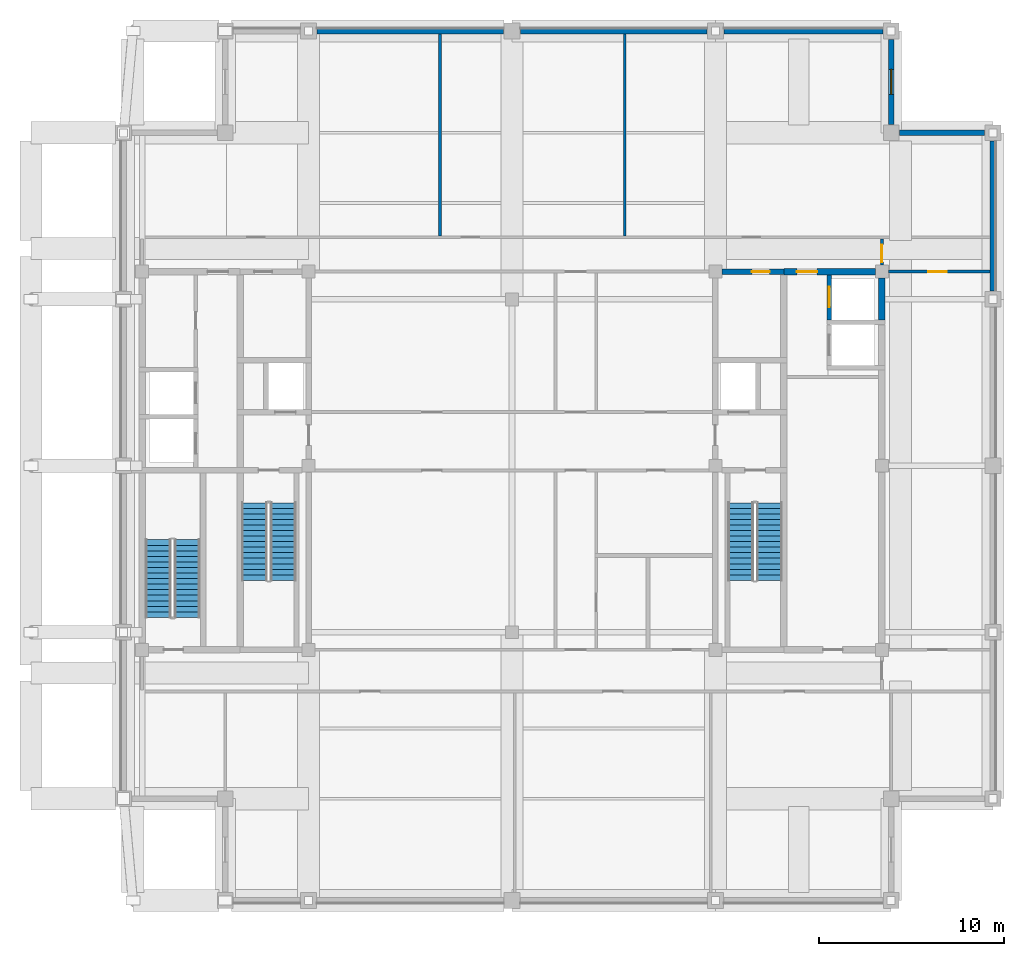
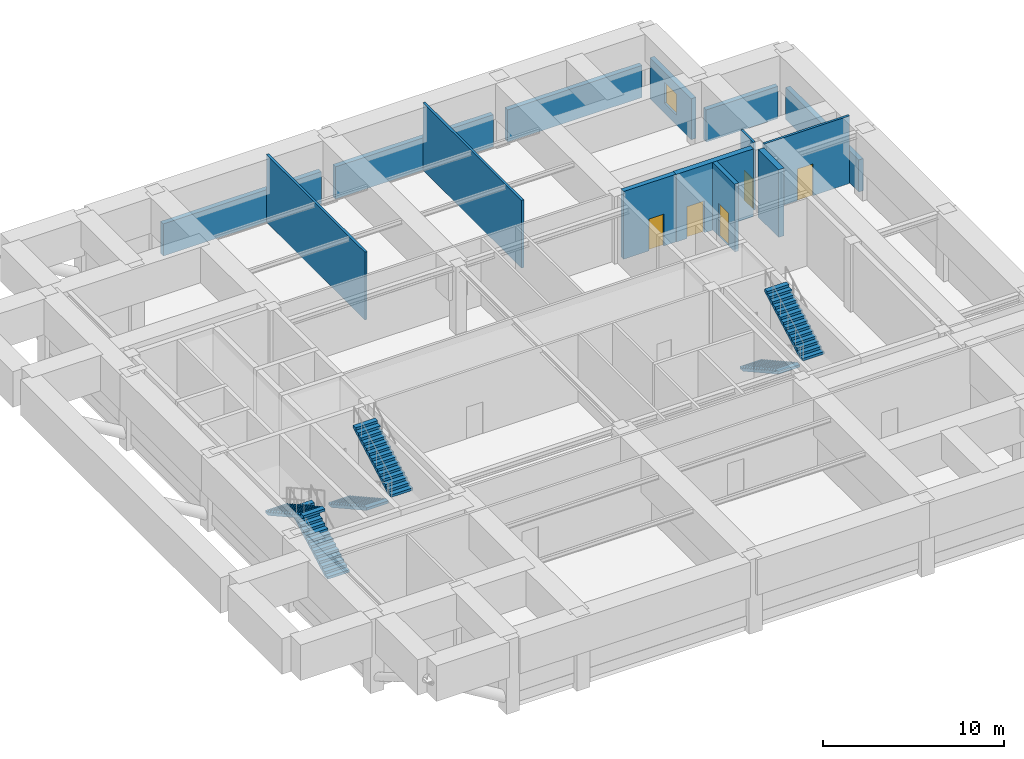
# One storey, part 5 of 11: 14 walls, 6 stair flights, 5 doors, 1 window, 6 openings, 3 elements without a shape of their own.
"""IFC4 building model written with IfcOpenShell, lengths in metres."""

from ifc_helpers import new_model, si_unit, direction, frame, frame_2d, origin, place, context, subcontext, project, spatial, polyline, rectangle, outline, extrude, material, layer, layer_set, type_object, element, fill, aggregate, save


model = new_model("IFC4")

# Units and contexts
model_context = context("Model", 3, precision=1e-05, world=origin(), true_north=direction((0.0, 1.0)))
body_context = subcontext(model_context, "Body", "Model", "MODEL_VIEW")
ifc_project = project(units=[si_unit("LENGTHUNIT", "METRE"), si_unit("AREAUNIT", "SQUARE_METRE"), si_unit("VOLUMEUNIT", "CUBIC_METRE"), si_unit("PLANEANGLEUNIT", "RADIAN"), si_unit("MASSUNIT", "GRAM", prefix="KILO")], contexts=[model_context])

# Site, building, storey
site_placement = place(None, origin())
site = spatial("IfcSite", under=ifc_project, at=site_placement, CompositionType="ELEMENT")
building_placement = place(site_placement, origin())
building = spatial("IfcBuilding", under=site, at=building_placement, Name="Zulmaris Gate Convention Tower", CompositionType="ELEMENT")
storey_placement = place(building_placement, frame((0.0, 0.0, 249.429931640625)))
storey = spatial("IfcBuildingStorey", under=building, at=storey_placement, Name="L66", CompositionType="ELEMENT", Elevation=249.429931640625)

# Wall, opening, door
ifc_material_1 = material(Name="Concrete C50/60", Category="concrete")
ifc_layer_1 = layer(ifc_material_1, 0.25, Name="Concrete C50/60")
ifc_layer_set_1 = layer_set([ifc_layer_1], Name="Concrete C50/60")
wall_type_1 = type_object("IfcWallType", Name="CORE-250", PredefinedType="SOLIDWALL", material=ifc_layer_set_1)
wall_1_placement = place(storey_placement, frame((17.14990234375, 7.876953125, 0.0), z_axis=(0.0, 0.0, 1.0), x_axis=(0.0, 1.0, 0.0)))
wall_1 = element("IfcWall", 1, at=wall_1_placement, inside=storey, type_object=wall_type_1, Name="WL-L66-057", PredefinedType="SOLIDWALL", context=body_context, shape_type="SweptSolid", body=[
    extrude(rectangle(XDim=2.446044921875, YDim=0.25, at=frame_2d((1.22314453125, 0.0))), origin(), (0.0, 0.0, 1.0), 4.574951171875),
])
opening_1_placement = place(wall_1_placement, frame((0.697998046875, 0.0, 0.0)))
opening_1 = element("IfcOpeningElement", 2, at=opening_1_placement, cuts=wall_1, Name="Opening D-06", PredefinedType="OPENING", context=body_context, shape_type="SweptSolid", body=[
    extrude(rectangle(XDim=1.10009765625, YDim=2.199951171875, at=frame_2d((0.550048828125, 1.10009765625))), frame((0.0, 0.135009765625, 0.0), z_axis=(0.0, -1.0, 0.0), x_axis=(1.0, 0.0, 0.0)), (0.0, 0.0, 1.0), 0.27001953125),
])
ifc_material_2 = material(Name="Brushed Stainless Steel", Category="steel")
door_type_1 = type_object("IfcDoorType", Name="LD-1100", OperationType="NOTDEFINED", PredefinedType="DOOR", material=ifc_material_2)
door_1_placement = place(opening_1_placement, origin())
door_1 = element("IfcDoor", 3, at=door_1_placement, inside=storey, type_object=door_type_1, Name="L66 Lift Landing Door HP-02 15", OperationType="SLIDING_TO_RIGHT", OverallHeight=2.199951171875, OverallWidth=1.10009765625, PredefinedType="DOOR", context=body_context, shape_type="SweptSolid", body=[
    extrude(rectangle(XDim=1.10009765625, YDim=2.199951171875, at=frame_2d((0.550048828125, 1.10009765625))), frame((0.0, 0.02490234375, 0.0), z_axis=(0.0, -1.0, 0.0), x_axis=(1.0, 0.0, 0.0)), (0.0, 0.0, 1.0), 0.050048828125),
])
fill(opening_1, door_1)

ifc_layer_2 = layer(ifc_material_1, 0.300048828125, Name="Concrete C50/60")
ifc_layer_set_2 = layer_set([ifc_layer_2], Name="Concrete C50/60")
wall_type_2 = type_object("IfcWallType", Name="CORE-300", PredefinedType="SHEAR", material=ifc_layer_set_2)
wall_2_placement = place(storey_placement, frame((11.35400390625, 10.5, 0.0), z_axis=(0.0, 0.0, 1.0), x_axis=(1.0, 0.0, 0.0)))
wall_2 = element("IfcWall", 4, at=wall_2_placement, inside=storey, type_object=wall_type_2, Name="WL-L66-017", PredefinedType="SHEAR", context=body_context, shape_type="SweptSolid", body=[
    extrude(rectangle(XDim=3.345947265625, YDim=0.300048828125, at=frame_2d((1.6728515625, 0.0))), origin(), (0.0, 0.0, 1.0), 4.574951171875),
])
opening_2_placement = place(wall_2_placement, frame((1.62109375, 0.0, 0.0)))
opening_2 = element("IfcOpeningElement", 5, at=opening_2_placement, cuts=wall_2, Name="Opening D-11", PredefinedType="OPENING", context=body_context, shape_type="SweptSolid", body=[
    extrude(rectangle(XDim=0.949951171875, YDim=2.14990234375, at=frame_2d((0.47509765625, 1.074951171875))), frame((0.0, 0.16015625, 0.0), z_axis=(0.0, -1.0, 0.0), x_axis=(1.0, 0.0, 0.0)), (0.0, 0.0, 1.0), 0.320068359375),
])
ifc_material_3 = material(Name="Fire-Rated Timber", Category="wood")
door_type_2 = type_object("IfcDoorType", Name="DR-950-FD", OperationType="NOTDEFINED", PredefinedType="DOOR", material=ifc_material_3)
door_2_placement = place(opening_2_placement, origin())
door_2 = element("IfcDoor", 6, at=door_2_placement, inside=storey, type_object=door_type_2, Name="L66 Core Cleaners Store Door 08", OperationType="SINGLE_SWING_RIGHT", OverallHeight=2.14990234375, OverallWidth=0.949951171875, PredefinedType="DOOR", context=body_context, shape_type="SweptSolid", body=[
    extrude(rectangle(XDim=0.949951171875, YDim=2.14990234375, at=frame_2d((0.47509765625, 1.074951171875))), frame((0.0, 0.02490234375, 0.0), z_axis=(0.0, -1.0, 0.0), x_axis=(1.0, 0.0, 0.0)), (0.0, 0.0, 1.0), 0.050048828125),
])
fill(opening_2, door_2)

ifc_material_4 = material(Name="Concrete C55/67", Category="concrete")
ifc_layer_3 = layer(ifc_material_4, 0.35009765625, Name="Concrete C55/67")
ifc_layer_set_3 = layer_set([ifc_layer_3], Name="Concrete C55/67")
wall_type_3 = type_object("IfcWallType", Name="CORE-350", PredefinedType="SHEAR", material=ifc_layer_set_3)
wall_3_placement = place(storey_placement, frame((14.699951171875, 10.5, 0.0), z_axis=(0.0, 0.0, 1.0), x_axis=(1.0, 0.0, 0.0)))
wall_3 = element("IfcWall", 7, at=wall_3_placement, inside=storey, type_object=wall_type_3, Name="WL-L66-018", PredefinedType="SHEAR", context=body_context, shape_type="SweptSolid", body=[
    extrude(rectangle(XDim=4.946044921875, YDim=0.35009765625, at=frame_2d((2.47314453125, 0.0))), origin(), (0.0, 0.0, 1.0), 4.574951171875),
])
opening_3_placement = place(wall_3_placement, frame((0.699951171875, 0.0, 0.0)))
opening_3 = element("IfcOpeningElement", 8, at=opening_3_placement, cuts=wall_3, Name="Opening D-08", PredefinedType="OPENING", context=body_context, shape_type="SweptSolid", body=[
    extrude(rectangle(XDim=1.10009765625, YDim=2.14990234375, at=frame_2d((0.550048828125, 1.074951171875))), frame((0.0, 0.18505859375, 0.0), z_axis=(0.0, -1.0, 0.0), x_axis=(1.0, 0.0, 0.0)), (0.0, 0.0, 1.0), 0.3701171875),
])
ifc_material_5 = material(Name="Fire-Rated Steel", Category="steel")
door_type_3 = type_object("IfcDoorType", Name="DR-1100-FD", OperationType="NOTDEFINED", PredefinedType="DOOR", material=ifc_material_5)
door_3_placement = place(opening_3_placement, origin())
door_3 = element("IfcDoor", 9, at=door_3_placement, inside=storey, type_object=door_type_3, Name="L66 High-Rise East Lift Lobby Door 16", OperationType="SINGLE_SWING_RIGHT", OverallHeight=2.14990234375, OverallWidth=1.10009765625, PredefinedType="DOOR", context=body_context, shape_type="SweptSolid", body=[
    extrude(rectangle(XDim=1.10009765625, YDim=2.14990234375, at=frame_2d((0.550048828125, 1.074951171875))), frame((0.0, 0.02490234375, 0.0), z_axis=(0.0, -1.0, 0.0), x_axis=(1.0, 0.0, 0.0)), (0.0, 0.0, 1.0), 0.050048828125),
])
fill(opening_3, door_3)

# Wall
wall_4_placement = place(storey_placement, frame((20.0, 7.876953125, 0.0), z_axis=(0.0, 0.0, 1.0), x_axis=(0.0, 1.0, 0.0)))
element("IfcWall", 10, at=wall_4_placement, inside=storey, type_object=wall_type_3, Name="WL-L66-060", PredefinedType="SHEAR", context=body_context, shape_type="SweptSolid", body=[
    extrude(rectangle(XDim=2.26904296875, YDim=0.35009765625, at=frame_2d((1.134521484375, 0.0))), origin(), (0.0, 0.0, 1.0), 4.574951171875),
])

# Wall, opening, door
ifc_material_6 = material(Name="Gypsum Metal Stud Partition")
ifc_layer_4 = layer(ifc_material_6, 0.14990234375, Name="Gypsum Metal Stud Partition")
ifc_layer_set_4 = layer_set([ifc_layer_4], Name="Gypsum Metal Stud Partition")
wall_type_4 = type_object("IfcWallType", Name="PART-150", PredefinedType="PARTITIONING", material=ifc_layer_set_4)
wall_5_placement = place(storey_placement, frame((20.35595703125, 10.5, 0.0), z_axis=(0.0, 0.0, 1.0), x_axis=(1.0, 0.0, 0.0)))
wall_5 = element("IfcWall", 11, at=wall_5_placement, inside=storey, type_object=wall_type_4, Name="WL-L66-027", PredefinedType="PARTITIONING", context=body_context, shape_type="SweptSolid", body=[
    extrude(rectangle(XDim=5.47900390625, YDim=0.14990234375, at=frame_2d((2.739501953125, 0.0))), origin(), (0.0, 0.0, 1.0), 4.574951171875),
])
opening_4_placement = place(wall_5_placement, frame((2.14404296875, 0.0, 0.0)))
opening_4 = element("IfcOpeningElement", 12, at=opening_4_placement, cuts=wall_5, Name="Opening D-10", PredefinedType="OPENING", context=body_context, shape_type="SweptSolid", body=[
    extrude(rectangle(XDim=1.0, YDim=2.14990234375, at=frame_2d((0.5, 1.074951171875))), frame((0.0, 0.0849609375, 0.0), z_axis=(0.0, -1.0, 0.0), x_axis=(1.0, 0.0, 0.0)), (0.0, 0.0, 1.0), 0.169921875),
])
door_type_4 = type_object("IfcDoorType", Name="DR-1000-FD", OperationType="NOTDEFINED", PredefinedType="DOOR", material=ifc_material_3)
door_4_placement = place(opening_4_placement, origin())
door_4 = element("IfcDoor", 13, at=door_4_placement, inside=storey, type_object=door_type_4, Name="L66 East Workplace North Door 36", OperationType="SINGLE_SWING_RIGHT", OverallHeight=2.14990234375, OverallWidth=1.0, PredefinedType="DOOR", context=body_context, shape_type="SweptSolid", body=[
    extrude(rectangle(XDim=1.0, YDim=2.14990234375, at=frame_2d((0.5, 1.074951171875))), frame((0.0, 0.02490234375, 0.0), z_axis=(0.0, -1.0, 0.0), x_axis=(1.0, 0.0, 0.0)), (0.0, 0.0, 1.0), 0.050048828125),
])
fill(opening_4, door_4)

# Walls
for number, where, z_axis, x_axis, name in (
    (14, (-3.89990234375, 12.427978515625, 0.0), (0.0, 0.0, 1.0), (0.0, 1.0, 0.0), "WL-L66-065"),
    (15, (6.10009765625, 12.427978515625, 0.0), (0.0, 0.0, 1.0), (0.0, 1.0, 0.0), "WL-L66-072"),
):
    element("IfcWall", number, at=place(storey_placement, frame(where, z_axis=z_axis, x_axis=x_axis)), inside=storey, type_object=wall_type_4, Name=name, PredefinedType="PARTITIONING", context=body_context, shape_type="SweptSolid", body=[
        extrude(rectangle(XDim=10.906982421875, YDim=0.14990234375, at=frame_2d((5.45361328125, 0.0))), origin(), (0.0, 0.0, 1.0), 4.574951171875),
    ])

# Wall, opening, door
wall_6_placement = place(storey_placement, frame((20.0, 10.85595703125, 0.0), z_axis=(0.0, 0.0, 1.0), x_axis=(0.0, 1.0, 0.0)))
wall_6 = element("IfcWall", 16, at=wall_6_placement, inside=storey, type_object=wall_type_4, Name="WL-L66-076", PredefinedType="PARTITIONING", context=body_context, shape_type="SweptSolid", body=[
    extrude(rectangle(XDim=1.416015625, YDim=0.14990234375, at=frame_2d((0.7080078125, 0.0))), origin(), (0.0, 0.0, 1.0), 4.574951171875),
])
opening_5_placement = place(wall_6_placement, frame((0.14990234375, 0.0, 0.0)))
opening_5 = element("IfcOpeningElement", 17, at=opening_5_placement, cuts=wall_6, Name="Opening D-25", PredefinedType="OPENING", context=body_context, shape_type="SweptSolid", body=[
    extrude(rectangle(XDim=0.949951171875, YDim=2.02001953125, at=frame_2d((0.47509765625, 1.010009765625))), frame((0.0, 0.0849609375, 0.0), z_axis=(0.0, -1.0, 0.0), x_axis=(1.0, 0.0, 0.0)), (0.0, 0.0, 1.0), 0.169921875),
])
door_type_5 = type_object("IfcDoorType", Name="DR-950-LOW-FD", OperationType="NOTDEFINED", PredefinedType="DOOR", material=ifc_material_5)
door_5_placement = place(opening_5_placement, origin())
door_5 = element("IfcDoor", 18, at=door_5_placement, inside=storey, type_object=door_type_5, Name="L66 NE Spur Door 34", OperationType="SINGLE_SWING_RIGHT", OverallHeight=2.02001953125, OverallWidth=0.949951171875, PredefinedType="DOOR", context=body_context, shape_type="SweptSolid", body=[
    extrude(rectangle(XDim=0.949951171875, YDim=2.02001953125, at=frame_2d((0.47509765625, 1.010009765625))), frame((0.0, 0.02490234375, 0.0), z_axis=(0.0, -1.0, 0.0), x_axis=(1.0, 0.0, 0.0)), (0.0, 0.0, 1.0), 0.050048828125),
])
fill(opening_5, door_5)

# Wall
ifc_material_7 = material(Name="Precast concrete C40/50", Category="concrete")
ifc_layer_5 = layer(ifc_material_7, 0.300048828125, Name="Precast concrete C40/50")
ifc_layer_set_5 = layer_set([ifc_layer_5], Name="Precast concrete C40/50")
wall_type_5 = type_object("IfcWallType", Name="PRECAST-PIER-300", PredefinedType="STANDARD", material=ifc_layer_set_5)
wall_7_placement = place(storey_placement, frame((25.544921875, 18.0, 0.0), z_axis=(0.0, 0.0, 1.0), x_axis=(-1.0, 0.0, 0.0)))
element("IfcWall", 19, at=wall_7_placement, inside=storey, type_object=wall_type_5, Name="EW-L66-NOTCH-NE1_0", PredefinedType="STANDARD", context=body_context, shape_type="SweptSolid", body=[
    extrude(rectangle(XDim=4.58984375, YDim=0.300048828125, at=frame_2d((2.294921875, 0.0))), origin(), (0.0, 0.0, 1.0), 2.1669921875),
])

# Wall, opening, window
wall_8_placement = place(storey_placement, frame((20.5, 18.455078125, 0.0), z_axis=(0.0, 0.0, 1.0), x_axis=(0.0, 1.0, 0.0)))
wall_8 = element("IfcWall", 20, at=wall_8_placement, inside=storey, type_object=wall_type_5, Name="EW-L66-NOTCH-NE2_0", PredefinedType="STANDARD", context=body_context, shape_type="SweptSolid", body=[
    extrude(rectangle(XDim=4.58984375, YDim=0.300048828125, at=frame_2d((2.294921875, 0.0))), origin(), (0.0, 0.0, 1.0), 2.76708984375),
])
opening_6_placement = place(wall_8_placement, frame((1.6201171875, 0.0, 0.679931640625)))
opening_6 = element("IfcOpeningElement", 21, at=opening_6_placement, cuts=wall_8, Name="Opening W-10", PredefinedType="OPENING", context=body_context, shape_type="SweptSolid", body=[
    extrude(rectangle(XDim=1.35009765625, YDim=1.419921875, at=frame_2d((0.675048828125, 0.7099609375))), frame((0.0, 0.16015625, 0.0), z_axis=(0.0, -1.0, 0.0), x_axis=(1.0, 0.0, 0.0)), (0.0, 0.0, 1.0), 0.320068359375),
])
ifc_material_8 = material(Name="Low-E Laminated Double Glazing in Aluminium Frame", Category="aluminium")
window_type = type_object("IfcWindowType", Name="WIN-1350x2000", PartitioningType="SINGLE_PANEL", PredefinedType="WINDOW", material=ifc_material_8)
window_placement = place(opening_6_placement, origin())
window = element("IfcWindow", 22, at=window_placement, inside=storey, type_object=window_type, Name="WN-EW-L66-NOTCH-NE2_0", OverallHeight=1.419921875, OverallWidth=1.35009765625, PartitioningType="SINGLE_PANEL", PredefinedType="WINDOW", context=body_context, shape_type="SweptSolid", body=[
    extrude(rectangle(XDim=1.35009765625, YDim=1.419921875, at=frame_2d((0.675048828125, 0.7099609375))), frame((0.0, 0.030029296875, 0.0), z_axis=(0.0, -1.0, 0.0), x_axis=(1.0, 0.0, 0.0)), (0.0, 0.0, 1.0), 0.06005859375),
])
fill(opening_6, window)

# Walls
for number, where, z_axis, x_axis, name in (
    (23, (-0.455078125, 23.5, 0.0), (0.0, 0.0, 1.0), (-1.0, 0.0, 0.0), "EW-L66-N-1_0"),
    (24, (10.544921875, 23.5, 0.0), (0.0, 0.0, 1.0), (-1.0, 0.0, 0.0), "EW-L66-N-2_0"),
):
    element("IfcWall", number, at=place(storey_placement, frame(where, z_axis=z_axis, x_axis=x_axis)), inside=storey, type_object=wall_type_5, Name=name, PredefinedType="STANDARD", context=body_context, shape_type="SweptSolid", body=[
        extrude(rectangle(XDim=10.08984375, YDim=0.300048828125, at=frame_2d((5.044921875, 0.0))), origin(), (0.0, 0.0, 1.0), 2.1669921875),
    ])
wall_9_placement = place(storey_placement, frame((20.044921875, 23.5, 0.0), z_axis=(0.0, 0.0, 1.0), x_axis=(-1.0, 0.0, 0.0)))
element("IfcWall", 25, at=wall_9_placement, inside=storey, type_object=wall_type_5, Name="EW-L66-N-3_0", PredefinedType="STANDARD", context=body_context, shape_type="SweptSolid", body=[
    extrude(rectangle(XDim=8.58984375, YDim=0.300048828125, at=frame_2d((4.294921875, 0.0))), origin(), (0.0, 0.0, 1.0), 2.1669921875),
])
wall_10_placement = place(storey_placement, frame((26.0, 9.455078125, 0.0), z_axis=(0.0, 0.0, 1.0), x_axis=(0.0, 1.0, 0.0)))
element("IfcWall", 26, at=wall_10_placement, inside=storey, type_object=wall_type_5, Name="EW-L66-E-3_0", PredefinedType="STANDARD", context=body_context, shape_type="SweptSolid", body=[
    extrude(rectangle(XDim=8.08984375, YDim=0.300048828125, at=frame_2d((4.044921875, 0.0))), origin(), (0.0, 0.0, 1.0), 2.1669921875),
])

# Stair, stair flights
ifc_material_9 = material(Name="Concrete C45/55", Category="concrete")
stair_type = type_object("IfcStairType", Name="ST-CORE-DOGLEG", PredefinedType="HALF_TURN_STAIR", material=ifc_material_9)
stair_1_placement = place(storey_placement, origin())
stair_1 = element("IfcStair", 27, at=stair_1_placement, inside=storey, type_object=stair_type, Name="L66 Core Exit Stair ST-1", PredefinedType="HALF_TURN_STAIR")
ifc_layer_6 = layer(ifc_material_9, 0.14990234375, Name="Concrete C45/55")
ifc_layer_set_6 = layer_set([ifc_layer_6], Name="Concrete C45/55")
stair_flight_type = type_object("IfcStairFlightType", Name="STF-RC150", PredefinedType="STRAIGHT", material=ifc_layer_set_6)
stair_flight_1_placement = place(storey_placement, frame((-13.919921875, -2.0, 0.0), z_axis=(0.0, 0.0, 1.0), x_axis=(0.0, -1.0, 0.0)))
stair_flight_1 = element("IfcStairFlight", 28, at=stair_flight_1_placement, type_object=stair_flight_type, Name="ST-1 flight 1", NumberOfRisers=15, NumberOfTreads=14, PredefinedType="STRAIGHT", RiserHeight=0.166666667, TreadLength=0.3, context=body_context, shape_type="SweptSolid", body=[
    extrude(outline(polyline([(0.0, 0.0), (0.0, 0.166748046875), (0.300048828125, 0.166748046875), (0.300048828125, 0.333251953125), (0.60009765625, 0.333251953125), (0.60009765625, 0.5), (0.89990234375, 0.5), (0.89990234375, 0.666748046875), (1.199951171875, 0.666748046875), (1.199951171875, 0.833251953125), (1.5, 0.833251953125), (1.5, 1.0), (1.800048828125, 1.0), (1.800048828125, 1.166748046875), (2.10009765625, 1.166748046875), (2.10009765625, 1.333251953125), (2.39990234375, 1.333251953125), (2.39990234375, 1.5), (2.699951171875, 1.5), (2.699951171875, 1.666748046875), (3.0, 1.666748046875), (3.0, 1.833251953125), (3.300048828125, 1.833251953125), (3.300048828125, 2.0), (3.60009765625, 2.0), (3.60009765625, 2.166748046875), (3.89990234375, 2.166748046875), (3.89990234375, 2.333251953125), (4.199951171875, 2.333251953125), (4.199951171875, 2.5), (4.199951171875, 2.161865234375), (0.30859375, 0.0), (0.0, 0.0)])), frame((0.0, 0.699951171875, 0.0), z_axis=(0.0, -1.0, 0.0), x_axis=(1.0, 0.0, 0.0)), (0.0, 0.0, 1.0), 1.39990234375),
])
stair_flight_2_placement = place(storey_placement, frame((-12.360107421875, -6.199951171875, 2.5), z_axis=(0.0, 0.0, 1.0), x_axis=(0.0, 1.0, 0.0)))
stair_flight_2 = element("IfcStairFlight", 29, at=stair_flight_2_placement, type_object=stair_flight_type, Name="ST-1 flight 2", NumberOfRisers=15, NumberOfTreads=14, PredefinedType="STRAIGHT", RiserHeight=0.166666667, TreadLength=0.3, context=body_context, shape_type="SweptSolid", body=[
    extrude(outline(polyline([(0.0, 0.0), (0.0, 0.166748046875), (0.300048828125, 0.166748046875), (0.300048828125, 0.333251953125), (0.60009765625, 0.333251953125), (0.60009765625, 0.5), (0.89990234375, 0.5), (0.89990234375, 0.666748046875), (1.199951171875, 0.666748046875), (1.199951171875, 0.833251953125), (1.5, 0.833251953125), (1.5, 1.0), (1.800048828125, 1.0), (1.800048828125, 1.166748046875), (2.10009765625, 1.166748046875), (2.10009765625, 1.333251953125), (2.39990234375, 1.333251953125), (2.39990234375, 1.5), (2.699951171875, 1.5), (2.699951171875, 1.666748046875), (3.0, 1.666748046875), (3.0, 1.833251953125), (3.300048828125, 1.833251953125), (3.300048828125, 2.0), (3.60009765625, 2.0), (3.60009765625, 2.166748046875), (3.89990234375, 2.166748046875), (3.89990234375, 2.333251953125), (4.199951171875, 2.333251953125), (4.199951171875, 2.5), (4.199951171875, 2.161865234375), (0.30859375, 0.0), (0.0, 0.0)])), frame((0.0, 0.699951171875, 0.0), z_axis=(0.0, -1.0, 0.0), x_axis=(1.0, 0.0, 0.0)), (0.0, 0.0, 1.0), 1.39990234375),
])
aggregate(stair_1, [stair_flight_1, stair_flight_2])

stair_2_placement = place(storey_placement, origin())
stair_2 = element("IfcStair", 30, at=stair_2_placement, inside=storey, type_object=stair_type, Name="L66 Core Exit Stair ST-2", PredefinedType="HALF_TURN_STAIR")
stair_flight_3_placement = place(storey_placement, frame((12.360107421875, -2.0, 0.0), z_axis=(0.0, 0.0, 1.0), x_axis=(0.0, -1.0, 0.0)))
stair_flight_3 = element("IfcStairFlight", 31, at=stair_flight_3_placement, type_object=stair_flight_type, Name="ST-2 flight 1", NumberOfRisers=15, NumberOfTreads=14, PredefinedType="STRAIGHT", RiserHeight=0.166666667, TreadLength=0.3, context=body_context, shape_type="SweptSolid", body=[
    extrude(outline(polyline([(0.0, 0.0), (0.0, 0.166748046875), (0.300048828125, 0.166748046875), (0.300048828125, 0.333251953125), (0.60009765625, 0.333251953125), (0.60009765625, 0.5), (0.89990234375, 0.5), (0.89990234375, 0.666748046875), (1.199951171875, 0.666748046875), (1.199951171875, 0.833251953125), (1.5, 0.833251953125), (1.5, 1.0), (1.800048828125, 1.0), (1.800048828125, 1.166748046875), (2.10009765625, 1.166748046875), (2.10009765625, 1.333251953125), (2.39990234375, 1.333251953125), (2.39990234375, 1.5), (2.699951171875, 1.5), (2.699951171875, 1.666748046875), (3.0, 1.666748046875), (3.0, 1.833251953125), (3.300048828125, 1.833251953125), (3.300048828125, 2.0), (3.60009765625, 2.0), (3.60009765625, 2.166748046875), (3.89990234375, 2.166748046875), (3.89990234375, 2.333251953125), (4.199951171875, 2.333251953125), (4.199951171875, 2.5), (4.199951171875, 2.161865234375), (0.30859375, 0.0), (0.0, 0.0)])), frame((0.0, 0.699951171875, 0.0), z_axis=(0.0, -1.0, 0.0), x_axis=(1.0, 0.0, 0.0)), (0.0, 0.0, 1.0), 1.39990234375),
])
stair_flight_4_placement = place(storey_placement, frame((13.919921875, -6.199951171875, 2.5), z_axis=(0.0, 0.0, 1.0), x_axis=(0.0, 1.0, 0.0)))
stair_flight_4 = element("IfcStairFlight", 32, at=stair_flight_4_placement, type_object=stair_flight_type, Name="ST-2 flight 2", NumberOfRisers=15, NumberOfTreads=14, PredefinedType="STRAIGHT", RiserHeight=0.166666667, TreadLength=0.3, context=body_context, shape_type="SweptSolid", body=[
    extrude(outline(polyline([(0.0, 0.0), (0.0, 0.166748046875), (0.300048828125, 0.166748046875), (0.300048828125, 0.333251953125), (0.60009765625, 0.333251953125), (0.60009765625, 0.5), (0.89990234375, 0.5), (0.89990234375, 0.666748046875), (1.199951171875, 0.666748046875), (1.199951171875, 0.833251953125), (1.5, 0.833251953125), (1.5, 1.0), (1.800048828125, 1.0), (1.800048828125, 1.166748046875), (2.10009765625, 1.166748046875), (2.10009765625, 1.333251953125), (2.39990234375, 1.333251953125), (2.39990234375, 1.5), (2.699951171875, 1.5), (2.699951171875, 1.666748046875), (3.0, 1.666748046875), (3.0, 1.833251953125), (3.300048828125, 1.833251953125), (3.300048828125, 2.0), (3.60009765625, 2.0), (3.60009765625, 2.166748046875), (3.89990234375, 2.166748046875), (3.89990234375, 2.333251953125), (4.199951171875, 2.333251953125), (4.199951171875, 2.5), (4.199951171875, 2.161865234375), (0.30859375, 0.0), (0.0, 0.0)])), frame((0.0, 0.699951171875, 0.0), z_axis=(0.0, -1.0, 0.0), x_axis=(1.0, 0.0, 0.0)), (0.0, 0.0, 1.0), 1.39990234375),
])
aggregate(stair_2, [stair_flight_3, stair_flight_4])

stair_3_placement = place(storey_placement, origin())
stair_3 = element("IfcStair", 33, at=stair_3_placement, inside=storey, type_object=stair_type, Name="L66 Core Exit Stair ST-3", PredefinedType="HALF_TURN_STAIR")
stair_flight_5_placement = place(storey_placement, frame((-17.56005859375, -8.199951171875, 0.0), z_axis=(0.0, 0.0, 1.0), x_axis=(0.0, 1.0, 0.0)))
stair_flight_5 = element("IfcStairFlight", 34, at=stair_flight_5_placement, type_object=stair_flight_type, Name="ST-3 flight 1", NumberOfRisers=15, NumberOfTreads=14, PredefinedType="STRAIGHT", RiserHeight=0.166666667, TreadLength=0.3, context=body_context, shape_type="SweptSolid", body=[
    extrude(outline(polyline([(0.0, 0.0), (0.0, 0.166748046875), (0.300048828125, 0.166748046875), (0.300048828125, 0.333251953125), (0.60009765625, 0.333251953125), (0.60009765625, 0.5), (0.89990234375, 0.5), (0.89990234375, 0.666748046875), (1.199951171875, 0.666748046875), (1.199951171875, 0.833251953125), (1.5, 0.833251953125), (1.5, 1.0), (1.800048828125, 1.0), (1.800048828125, 1.166748046875), (2.10009765625, 1.166748046875), (2.10009765625, 1.333251953125), (2.39990234375, 1.333251953125), (2.39990234375, 1.5), (2.699951171875, 1.5), (2.699951171875, 1.666748046875), (3.0, 1.666748046875), (3.0, 1.833251953125), (3.300048828125, 1.833251953125), (3.300048828125, 2.0), (3.60009765625, 2.0), (3.60009765625, 2.166748046875), (3.89990234375, 2.166748046875), (3.89990234375, 2.333251953125), (4.199951171875, 2.333251953125), (4.199951171875, 2.5), (4.199951171875, 2.161865234375), (0.30859375, 0.0), (0.0, 0.0)])), frame((0.0, 0.699951171875, 0.0), z_axis=(0.0, -1.0, 0.0), x_axis=(1.0, 0.0, 0.0)), (0.0, 0.0, 1.0), 1.39990234375),
])
stair_flight_6_placement = place(storey_placement, frame((-19.1201171875, -4.0, 2.5), z_axis=(0.0, 0.0, 1.0), x_axis=(0.0, -1.0, 0.0)))
stair_flight_6 = element("IfcStairFlight", 35, at=stair_flight_6_placement, type_object=stair_flight_type, Name="ST-3 flight 2", NumberOfRisers=15, NumberOfTreads=14, PredefinedType="STRAIGHT", RiserHeight=0.166666667, TreadLength=0.3, context=body_context, shape_type="SweptSolid", body=[
    extrude(outline(polyline([(0.0, 0.0), (0.0, 0.166748046875), (0.300048828125, 0.166748046875), (0.300048828125, 0.333251953125), (0.60009765625, 0.333251953125), (0.60009765625, 0.5), (0.89990234375, 0.5), (0.89990234375, 0.666748046875), (1.199951171875, 0.666748046875), (1.199951171875, 0.833251953125), (1.5, 0.833251953125), (1.5, 1.0), (1.800048828125, 1.0), (1.800048828125, 1.166748046875), (2.10009765625, 1.166748046875), (2.10009765625, 1.333251953125), (2.39990234375, 1.333251953125), (2.39990234375, 1.5), (2.699951171875, 1.5), (2.699951171875, 1.666748046875), (3.0, 1.666748046875), (3.0, 1.833251953125), (3.300048828125, 1.833251953125), (3.300048828125, 2.0), (3.60009765625, 2.0), (3.60009765625, 2.166748046875), (3.89990234375, 2.166748046875), (3.89990234375, 2.333251953125), (4.199951171875, 2.333251953125), (4.199951171875, 2.5), (4.199951171875, 2.161865234375), (0.30859375, 0.0), (0.0, 0.0)])), frame((0.0, 0.699951171875, 0.0), z_axis=(0.0, -1.0, 0.0), x_axis=(1.0, 0.0, 0.0)), (0.0, 0.0, 1.0), 1.39990234375),
])
aggregate(stair_3, [stair_flight_5, stair_flight_6])

save(model, "model.ifc")
